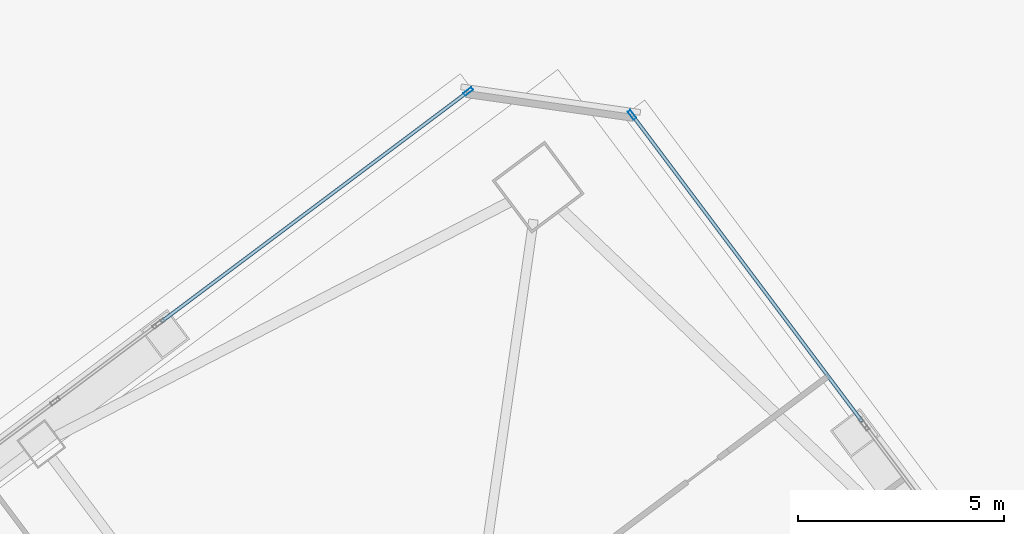
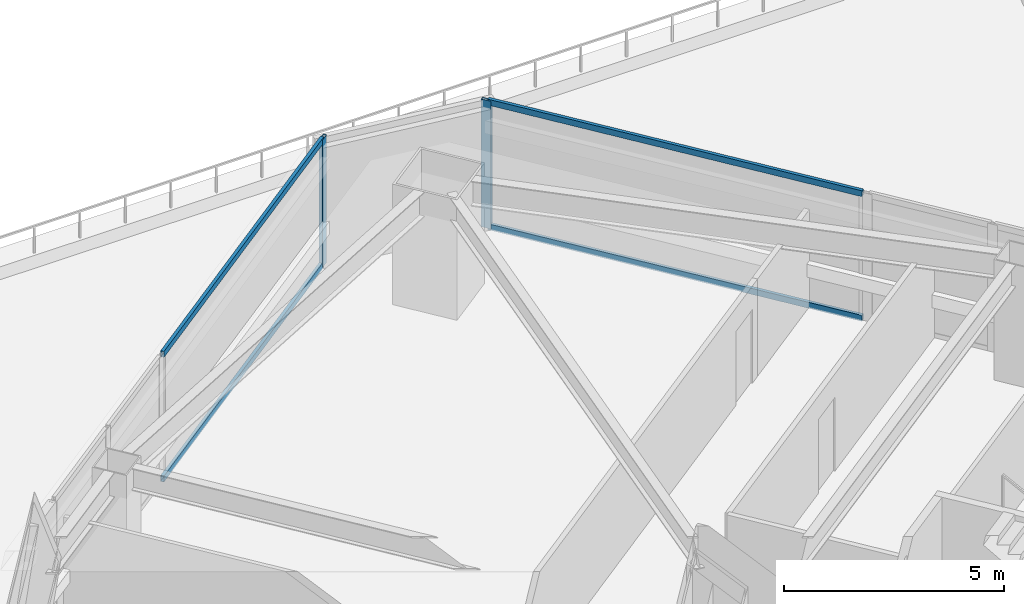
# One storey, part 57 of 83: 6 members, 2 elements without a shape of their own.
"""IFC4 building model written with IfcOpenShell, lengths in metres."""

from ifc_helpers import new_model, si_unit, direction, frame, origin, origin_2d, place, context, subcontext, project, spatial, hollow_rectangle, extrude, material, material_profile, profile_set, type_object, element, aggregate, save


model = new_model("IFC4")

# Units and contexts
model_context = context("Model", 3, precision=1e-05, world=origin(), true_north=direction((0.0, 1.0)))
body_context = subcontext(model_context, "Body", "Model", "MODEL_VIEW")
ifc_project = project(units=[si_unit("LENGTHUNIT", "METRE"), si_unit("AREAUNIT", "SQUARE_METRE"), si_unit("VOLUMEUNIT", "CUBIC_METRE"), si_unit("PLANEANGLEUNIT", "RADIAN"), si_unit("MASSUNIT", "GRAM", prefix="KILO")], contexts=[model_context])

# Site, building, storey
site_placement = place(None, origin())
site = spatial("IfcSite", under=ifc_project, at=site_placement, CompositionType="ELEMENT")
building_placement = place(site_placement, origin())
building = spatial("IfcBuilding", under=site, at=building_placement, Name="Tashvorn Skyway Center", CompositionType="ELEMENT")
storey_placement = place(building_placement, frame((0.0, 0.0, 24.60009765625)))
storey = spatial("IfcBuildingStorey", under=building, at=storey_placement, Name="L05", CompositionType="ELEMENT", Elevation=24.60009765625)

# Curtain wall, member
ifc_material = material(Name="Thermally broken bronze-anodized aluminium 6063-T6", Category="aluminium")
curtain_wall_type = type_object("IfcCurtainWallType", Name="CW-CW-Z1", PredefinedType="NOTDEFINED", material=ifc_material)
curtain_wall_1_placement = place(storey_placement, origin())
curtain_wall_1 = element("IfcCurtainWall", 1, at=curtain_wall_1_placement, inside=storey, type_object=curtain_wall_type, Name="Tower 2 L05 North Unitised Curtain Wall Glazing Group 4", PredefinedType="NOTDEFINED")
ifc_material_profile_1 = material_profile(ifc_material, hollow_rectangle(XDim=0.0849609375, YDim=0.239990234375, WallThickness=0.0048828125, at=origin_2d()), Name="ALU-MULL-85x240")
ifc_profile_set_1 = profile_set([ifc_material_profile_1], Name="Thermally broken bronze-anodized aluminium 6063-T6")
member_type_1 = type_object("IfcMemberType", Name="CWM-CW-Z1", PredefinedType="MULLION", material=ifc_profile_set_1)
member_1_placement = place(storey_placement, frame((116.06201171875, 60.646484375, 0.0), z_axis=(0.0, 0.0, 1.0), x_axis=(-0.600000000002, 0.799999999998, 0.0)))
member_1 = element("IfcMember", 2, at=member_1_placement, type_object=member_type_1, Name="CW-Z1 mullion 2", PredefinedType="MULLION", context=body_context, shape_type="SweptSolid", body=[
    extrude(hollow_rectangle(XDim=0.0849609375, YDim=0.239990234375, WallThickness=0.0048828125, at=origin_2d()), origin(), (0.0, 0.0, 1.0), 3.5498046875),
])

curtain_wall_2_placement = place(storey_placement, origin())
curtain_wall_2 = element("IfcCurtainWall", 3, at=curtain_wall_2_placement, inside=storey, type_object=curtain_wall_type, Name="Tower 2 L05 East Unitised Curtain Wall Glazing Group 1", PredefinedType="NOTDEFINED")
member_2_placement = place(storey_placement, frame((120.04150390625, 60.077880859375, 0.0), z_axis=(0.0, 0.0, 1.0), x_axis=(0.799999999998, 0.600000000002, 0.0)))
member_2 = element("IfcMember", 4, at=member_2_placement, type_object=member_type_1, Name="CW-Z1 mullion 1", PredefinedType="MULLION", context=body_context, shape_type="SweptSolid", body=[
    extrude(hollow_rectangle(XDim=0.0849609375, YDim=0.239990234375, WallThickness=0.0048828125, at=origin_2d()), origin(), (0.0, 0.0, 1.0), 3.5498046875),
])

# Member
ifc_material_profile_2 = material_profile(ifc_material, hollow_rectangle(XDim=0.0849609375, YDim=0.1650390625, WallThickness=0.0048828125, at=origin_2d()), Name="ALU-TRAN-85x165")
ifc_profile_set_2 = profile_set([ifc_material_profile_2], Name="Thermally broken bronze-anodized aluminium 6063-T6")
member_type_2 = type_object("IfcMemberType", Name="CWT-CW-Z1", PredefinedType="USERDEFINED", material=ifc_profile_set_2)
member_3_placement = place(storey_placement, frame((108.612060546875, 55.05908203125, 0.04248046875), z_axis=(0.8, 0.6, 0.0), x_axis=(-0.6, 0.8, 0.0)))
member_3 = element("IfcMember", 5, at=member_3_placement, type_object=member_type_2, Name="CW-Z1 transom 1.1", ObjectType="TRANSOM", PredefinedType="USERDEFINED", context=body_context, shape_type="SweptSolid", body=[
    extrude(hollow_rectangle(XDim=0.0849609375, YDim=0.1650390625, WallThickness=0.0048828125, at=origin_2d()), origin(), (0.0, 0.0, 1.0), 9.27001953125),
])

member_4_placement = place(storey_placement, frame((108.612060546875, 55.05908203125, 3.50732421875), z_axis=(0.8, 0.6, 0.0), x_axis=(-0.6, 0.8, 0.0)))
member_4 = element("IfcMember", 6, at=member_4_placement, type_object=member_type_2, Name="CW-Z1 transom 1.2", ObjectType="TRANSOM", PredefinedType="USERDEFINED", context=body_context, shape_type="SweptSolid", body=[
    extrude(hollow_rectangle(XDim=0.0849609375, YDim=0.1650390625, WallThickness=0.0048828125, at=origin_2d()), origin(), (0.0, 0.0, 1.0), 9.27001953125),
])

aggregate(curtain_wall_1, [member_1, member_3, member_4])

member_5_placement = place(storey_placement, frame((120.06689453125, 60.0439453125, 0.04248046875), z_axis=(0.6, -0.8, 0.0), x_axis=(0.8, 0.6, 0.0)))
member_5 = element("IfcMember", 7, at=member_5_placement, type_object=member_type_2, Name="CW-Z1 transom 1.1", ObjectType="TRANSOM", PredefinedType="USERDEFINED", context=body_context, shape_type="SweptSolid", body=[
    extrude(hollow_rectangle(XDim=0.0849609375, YDim=0.1650390625, WallThickness=0.0048828125, at=origin_2d()), origin(), (0.0, 0.0, 1.0), 9.27001953125),
])

member_6_placement = place(storey_placement, frame((120.06689453125, 60.0439453125, 3.50732421875), z_axis=(0.6, -0.8, 0.0), x_axis=(0.8, 0.6, 0.0)))
member_6 = element("IfcMember", 8, at=member_6_placement, type_object=member_type_2, Name="CW-Z1 transom 1.2", ObjectType="TRANSOM", PredefinedType="USERDEFINED", context=body_context, shape_type="SweptSolid", body=[
    extrude(hollow_rectangle(XDim=0.0849609375, YDim=0.1650390625, WallThickness=0.0048828125, at=origin_2d()), origin(), (0.0, 0.0, 1.0), 9.27001953125),
])

aggregate(curtain_wall_2, [member_2, member_5, member_6])

save(model, "model.ifc")
